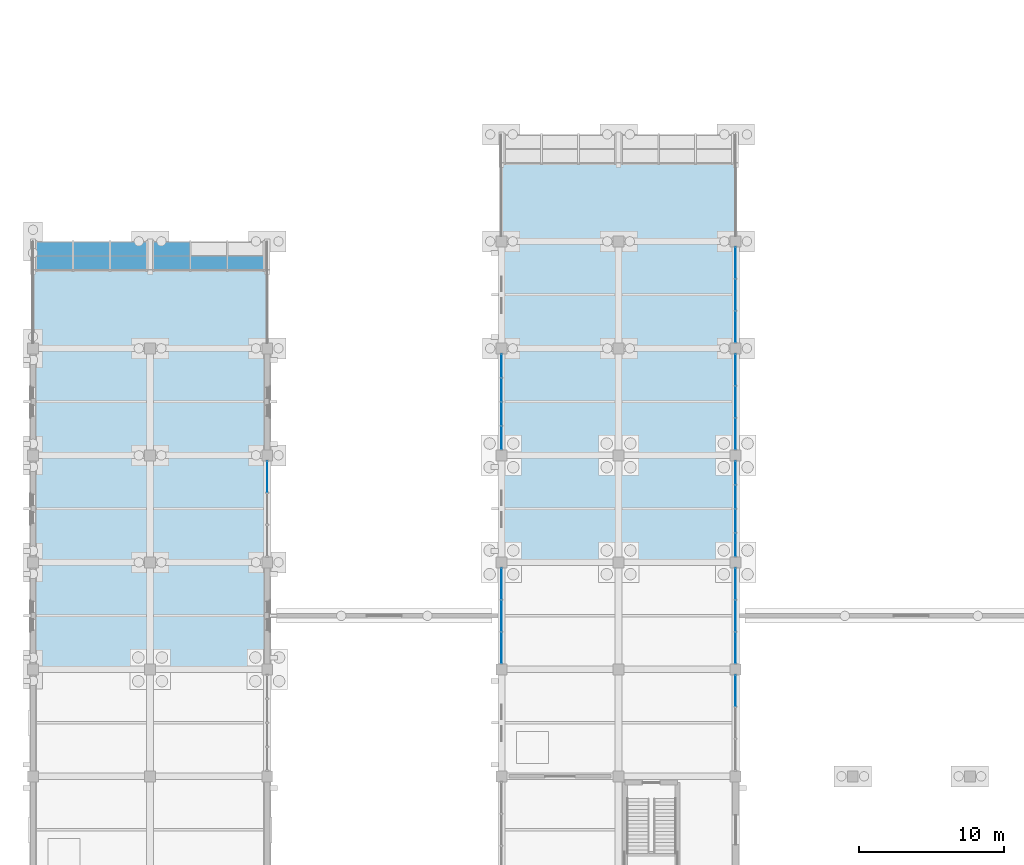
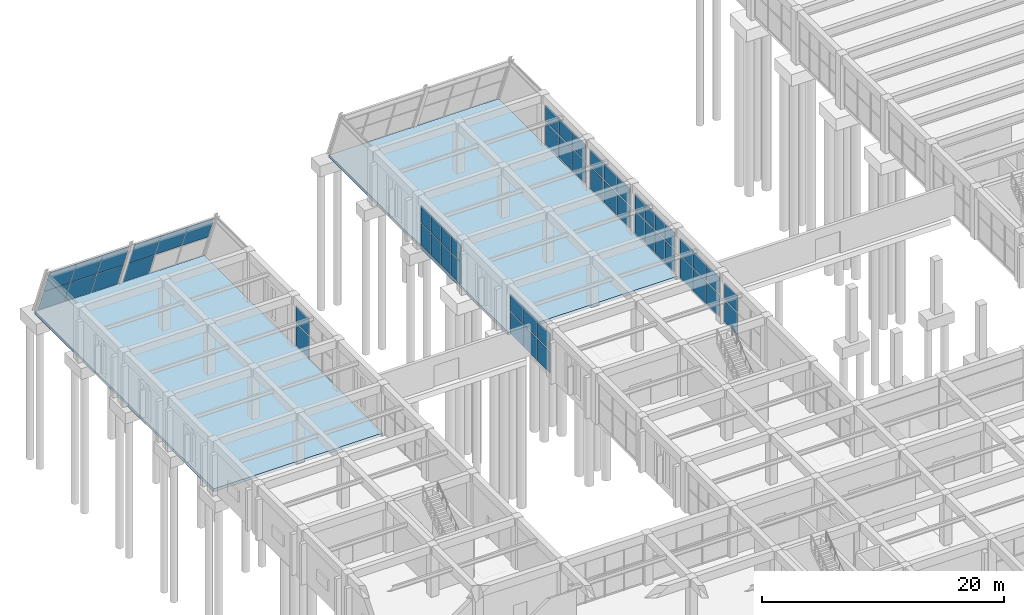
# One storey, part 115 of 140: 54 plates, 2 slabs, 10 elements without a shape of their own.
"""IFC4 building model written with IfcOpenShell, lengths in metres."""

from ifc_helpers import new_model, si_unit, direction, frame, origin, origin_2d, place, context, subcontext, project, spatial, polyline, rectangle, outline, extrude, material, layer, layer_set, type_object, element, aggregate, save


model = new_model("IFC4")

# Units and contexts
model_context = context("Model", 3, precision=1e-05, world=origin(), true_north=direction((0.0, 1.0)))
body_context = subcontext(model_context, "Body", "Model", "MODEL_VIEW")
ifc_project = project(units=[si_unit("LENGTHUNIT", "METRE"), si_unit("AREAUNIT", "SQUARE_METRE"), si_unit("VOLUMEUNIT", "CUBIC_METRE"), si_unit("PLANEANGLEUNIT", "RADIAN"), si_unit("MASSUNIT", "GRAM", prefix="KILO")], contexts=[model_context])

# Site, building, storey
site_placement = place(None, origin())
site = spatial("IfcSite", under=ifc_project, at=site_placement, CompositionType="ELEMENT")
building_placement = place(site_placement, origin())
building = spatial("IfcBuilding", under=site, at=building_placement, Name="Cimatlan Art Gallery", CompositionType="ELEMENT")
storey_placement = place(building_placement, origin())
storey = spatial("IfcBuildingStorey", under=building, at=storey_placement, Name="L00", CompositionType="ELEMENT", Elevation=0.0)

# Curtain wall, plates
ifc_material_1 = material(Name="Anodised bronze unitised curtain wall")
curtain_wall_type_1 = type_object("IfcCurtainWallType", Name="CW-V-06642X04195-B4", PredefinedType="NOTDEFINED", material=ifc_material_1)
curtain_wall_1_placement = place(storey_placement, origin())
curtain_wall_1 = element("IfcCurtainWall", 1, at=curtain_wall_1_placement, inside=storey, type_object=curtain_wall_type_1, Name="CW-L00-04-11-W", PredefinedType="NOTDEFINED")
ifc_material_2 = material(Name="Low-E insulated double glazing", Category="glass")
ifc_layer_1 = layer(ifc_material_2, 0.028076171875)
ifc_layer_set_1 = layer_set([ifc_layer_1], Name="Low-E insulated double glazing")
plate_type_1 = type_object("IfcPlateType", Name="PNL-1603X1662", PredefinedType="CURTAIN_PANEL", material=ifc_layer_set_1)
plate_1_placement = place(storey_placement, frame((34.39990234375, 84.309326171875, 2.4111328125), z_axis=(0.0, 0.0, 1.0), x_axis=(0.0, 1.0, 0.0)))
plate_1 = element("IfcPlate", 2, at=plate_1_placement, type_object=plate_type_1, Name="CW-L00-04-11-W-P12", PredefinedType="CURTAIN_PANEL", context=body_context, shape_type="SweptSolid", body=[
    extrude(rectangle(XDim=1.60302734375, YDim=0.028076171875, at=origin_2d()), origin(), (0.0, 0.0, 1.0), 1.662109375),
])
plate_2_placement = place(storey_placement, frame((34.39990234375, 85.9697265625, 2.4111328125), z_axis=(0.0, 0.0, 1.0), x_axis=(0.0, 1.0, 0.0)))
plate_2 = element("IfcPlate", 3, at=plate_2_placement, type_object=plate_type_1, Name="CW-L00-04-11-W-P22", PredefinedType="CURTAIN_PANEL", context=body_context, shape_type="SweptSolid", body=[
    extrude(rectangle(XDim=1.60302734375, YDim=0.028076171875, at=origin_2d()), origin(), (0.0, 0.0, 1.0), 1.662109375),
])
plate_3_placement = place(storey_placement, frame((34.39990234375, 87.63037109375, 2.4111328125), z_axis=(0.0, 0.0, 1.0), x_axis=(0.0, 1.0, 0.0)))
plate_3 = element("IfcPlate", 4, at=plate_3_placement, type_object=plate_type_1, Name="CW-L00-04-11-W-P32", PredefinedType="CURTAIN_PANEL", context=body_context, shape_type="SweptSolid", body=[
    extrude(rectangle(XDim=1.60302734375, YDim=0.028076171875, at=origin_2d()), origin(), (0.0, 0.0, 1.0), 1.662109375),
])
plate_4_placement = place(storey_placement, frame((34.39990234375, 89.290771484375, 2.4111328125), z_axis=(0.0, 0.0, 1.0), x_axis=(0.0, 1.0, 0.0)))
plate_4 = element("IfcPlate", 5, at=plate_4_placement, type_object=plate_type_1, Name="CW-L00-04-11-W-P42", PredefinedType="CURTAIN_PANEL", context=body_context, shape_type="SweptSolid", body=[
    extrude(rectangle(XDim=1.60302734375, YDim=0.028076171875, at=origin_2d()), origin(), (0.0, 0.0, 1.0), 1.662109375),
])

curtain_wall_type_2 = type_object("IfcCurtainWallType", Name="CW-V-06642X04255-B4", PredefinedType="NOTDEFINED", material=ifc_material_1)
curtain_wall_2_placement = place(storey_placement, origin())
curtain_wall_2 = element("IfcCurtainWall", 6, at=curtain_wall_2_placement, inside=storey, type_object=curtain_wall_type_2, Name="CW-L00-05-10-E", PredefinedType="NOTDEFINED")
ifc_layer_2 = layer(ifc_material_2, 0.028076171875)
ifc_layer_set_2 = layer_set([ifc_layer_2], Name="Low-E insulated double glazing")
plate_type_2 = type_object("IfcPlateType", Name="PNL-1603X1688", PredefinedType="CURTAIN_PANEL", material=ifc_layer_set_2)
plate_5_placement = place(storey_placement, frame((50.60009765625, 81.890869140625, 2.44482421875), z_axis=(0.0, 0.0, 1.0), x_axis=(0.0, -1.0, 0.0)))
plate_5 = element("IfcPlate", 7, at=plate_5_placement, type_object=plate_type_2, Name="CW-L00-05-10-E-P12", PredefinedType="CURTAIN_PANEL", context=body_context, shape_type="SweptSolid", body=[
    extrude(rectangle(XDim=1.60302734375, YDim=0.028076171875, at=origin_2d()), origin(), (0.0, 0.0, 1.0), 1.68798828125),
])
plate_6_placement = place(storey_placement, frame((50.60009765625, 80.230224609375, 2.44482421875), z_axis=(0.0, 0.0, 1.0), x_axis=(0.0, -1.0, 0.0)))
plate_6 = element("IfcPlate", 8, at=plate_6_placement, type_object=plate_type_2, Name="CW-L00-05-10-E-P22", PredefinedType="CURTAIN_PANEL", context=body_context, shape_type="SweptSolid", body=[
    extrude(rectangle(XDim=1.60302734375, YDim=0.028076171875, at=origin_2d()), origin(), (0.0, 0.0, 1.0), 1.68798828125),
])
plate_7_placement = place(storey_placement, frame((50.60009765625, 78.56982421875, 2.44482421875), z_axis=(0.0, 0.0, 1.0), x_axis=(0.0, -1.0, 0.0)))
plate_7 = element("IfcPlate", 9, at=plate_7_placement, type_object=plate_type_2, Name="CW-L00-05-10-E-P32", PredefinedType="CURTAIN_PANEL", context=body_context, shape_type="SweptSolid", body=[
    extrude(rectangle(XDim=1.60302734375, YDim=0.028076171875, at=origin_2d()), origin(), (0.0, 0.0, 1.0), 1.68798828125),
])
plate_8_placement = place(storey_placement, frame((50.60009765625, 76.9091796875, 2.44482421875), z_axis=(0.0, 0.0, 1.0), x_axis=(0.0, -1.0, 0.0)))
plate_8 = element("IfcPlate", 10, at=plate_8_placement, type_object=plate_type_2, Name="CW-L00-05-10-E-P42", PredefinedType="CURTAIN_PANEL", context=body_context, shape_type="SweptSolid", body=[
    extrude(rectangle(XDim=1.60302734375, YDim=0.028076171875, at=origin_2d()), origin(), (0.0, 0.0, 1.0), 1.68798828125),
])

# Plate
ifc_layer_3 = layer(ifc_material_2, 0.028076171875)
ifc_layer_set_3 = layer_set([ifc_layer_3], Name="Low-E insulated double glazing")
plate_type_3 = type_object("IfcPlateType", Name="PNL-1603X2165", PredefinedType="CURTAIN_PANEL", material=ifc_layer_set_3)
plate_9_placement = place(storey_placement, frame((34.39990234375, 84.309326171875, 0.1220703125), z_axis=(0.0, 0.0, 1.0), x_axis=(0.0, 1.0, 0.0)))
plate_9 = element("IfcPlate", 11, at=plate_9_placement, type_object=plate_type_3, Name="CW-L00-04-11-W-P11", PredefinedType="CURTAIN_PANEL", context=body_context, shape_type="SweptSolid", body=[
    extrude(rectangle(XDim=1.60302734375, YDim=0.028076171875, at=origin_2d()), origin(), (0.0, 0.0, 1.0), 2.1650390625),
])

plate_10_placement = place(storey_placement, frame((34.39990234375, 85.9697265625, 0.1220703125), z_axis=(0.0, 0.0, 1.0), x_axis=(0.0, 1.0, 0.0)))
plate_10 = element("IfcPlate", 12, at=plate_10_placement, type_object=plate_type_3, Name="CW-L00-04-11-W-P21", PredefinedType="CURTAIN_PANEL", context=body_context, shape_type="SweptSolid", body=[
    extrude(rectangle(XDim=1.60302734375, YDim=0.028076171875, at=origin_2d()), origin(), (0.0, 0.0, 1.0), 2.1650390625),
])

plate_11_placement = place(storey_placement, frame((34.39990234375, 87.63037109375, 0.1220703125), z_axis=(0.0, 0.0, 1.0), x_axis=(0.0, 1.0, 0.0)))
plate_11 = element("IfcPlate", 13, at=plate_11_placement, type_object=plate_type_3, Name="CW-L00-04-11-W-P31", PredefinedType="CURTAIN_PANEL", context=body_context, shape_type="SweptSolid", body=[
    extrude(rectangle(XDim=1.60302734375, YDim=0.028076171875, at=origin_2d()), origin(), (0.0, 0.0, 1.0), 2.1650390625),
])

plate_12_placement = place(storey_placement, frame((34.39990234375, 89.290771484375, 0.1220703125), z_axis=(0.0, 0.0, 1.0), x_axis=(0.0, 1.0, 0.0)))
plate_12 = element("IfcPlate", 14, at=plate_12_placement, type_object=plate_type_3, Name="CW-L00-04-11-W-P41", PredefinedType="CURTAIN_PANEL", context=body_context, shape_type="SweptSolid", body=[
    extrude(rectangle(XDim=1.60302734375, YDim=0.028076171875, at=origin_2d()), origin(), (0.0, 0.0, 1.0), 2.1650390625),
])

aggregate(curtain_wall_1, [plate_9, plate_1, plate_10, plate_2, plate_11, plate_3, plate_12, plate_4])

ifc_layer_4 = layer(ifc_material_2, 0.028076171875)
ifc_layer_set_4 = layer_set([ifc_layer_4], Name="Low-E insulated double glazing")
plate_type_4 = type_object("IfcPlateType", Name="PNL-1603X2199", PredefinedType="CURTAIN_PANEL", material=ifc_layer_set_4)
plate_13_placement = place(storey_placement, frame((50.60009765625, 81.890869140625, 0.1220703125), z_axis=(0.0, 0.0, 1.0), x_axis=(0.0, -1.0, 0.0)))
plate_13 = element("IfcPlate", 15, at=plate_13_placement, type_object=plate_type_4, Name="CW-L00-05-10-E-P11", PredefinedType="CURTAIN_PANEL", context=body_context, shape_type="SweptSolid", body=[
    extrude(rectangle(XDim=1.60302734375, YDim=0.028076171875, at=origin_2d()), origin(), (0.0, 0.0, 1.0), 2.198974609375),
])

plate_14_placement = place(storey_placement, frame((50.60009765625, 80.230224609375, 0.1220703125), z_axis=(0.0, 0.0, 1.0), x_axis=(0.0, -1.0, 0.0)))
plate_14 = element("IfcPlate", 16, at=plate_14_placement, type_object=plate_type_4, Name="CW-L00-05-10-E-P21", PredefinedType="CURTAIN_PANEL", context=body_context, shape_type="SweptSolid", body=[
    extrude(rectangle(XDim=1.60302734375, YDim=0.028076171875, at=origin_2d()), origin(), (0.0, 0.0, 1.0), 2.198974609375),
])

plate_15_placement = place(storey_placement, frame((50.60009765625, 78.56982421875, 0.1220703125), z_axis=(0.0, 0.0, 1.0), x_axis=(0.0, -1.0, 0.0)))
plate_15 = element("IfcPlate", 17, at=plate_15_placement, type_object=plate_type_4, Name="CW-L00-05-10-E-P31", PredefinedType="CURTAIN_PANEL", context=body_context, shape_type="SweptSolid", body=[
    extrude(rectangle(XDim=1.60302734375, YDim=0.028076171875, at=origin_2d()), origin(), (0.0, 0.0, 1.0), 2.198974609375),
])

plate_16_placement = place(storey_placement, frame((50.60009765625, 76.9091796875, 0.1220703125), z_axis=(0.0, 0.0, 1.0), x_axis=(0.0, -1.0, 0.0)))
plate_16 = element("IfcPlate", 18, at=plate_16_placement, type_object=plate_type_4, Name="CW-L00-05-10-E-P41", PredefinedType="CURTAIN_PANEL", context=body_context, shape_type="SweptSolid", body=[
    extrude(rectangle(XDim=1.60302734375, YDim=0.028076171875, at=origin_2d()), origin(), (0.0, 0.0, 1.0), 2.198974609375),
])

aggregate(curtain_wall_2, [plate_13, plate_5, plate_14, plate_6, plate_15, plate_7, plate_16, plate_8])

# Curtain wall, plate
curtain_wall_type_3 = type_object("IfcCurtainWallType", Name="CW-V-06642X04195-B3", PredefinedType="NOTDEFINED", material=ifc_material_1)
curtain_wall_3_placement = place(storey_placement, origin())
curtain_wall_3 = element("IfcCurtainWall", 19, at=curtain_wall_3_placement, inside=storey, type_object=curtain_wall_type_3, Name="CW-L00-05-08-E", PredefinedType="NOTDEFINED")
ifc_layer_5 = layer(ifc_material_2, 0.028076171875)
ifc_layer_set_5 = layer_set([ifc_layer_5], Name="Low-E insulated double glazing")
plate_type_5 = type_object("IfcPlateType", Name="PNL-2156X1662", PredefinedType="CURTAIN_PANEL", material=ifc_layer_set_5)
plate_17_placement = place(storey_placement, frame((50.60009765625, 66.81396484375, 2.4111328125), z_axis=(0.0, 0.0, 1.0), x_axis=(0.0, -1.0, 0.0)))
plate_17 = element("IfcPlate", 20, at=plate_17_placement, type_object=plate_type_5, Name="CW-L00-05-08-E-P12", PredefinedType="CURTAIN_PANEL", context=body_context, shape_type="SweptSolid", body=[
    extrude(rectangle(XDim=2.156005859375, YDim=0.028076171875, at=origin_2d()), origin(), (0.0, 0.0, 1.0), 1.662109375),
])

# Curtain wall, plates
curtain_wall_type_4 = type_object("IfcCurtainWallType", Name="CW-V-06642X04225-B3", PredefinedType="NOTDEFINED", material=ifc_material_1)
curtain_wall_4_placement = place(storey_placement, origin())
curtain_wall_4 = element("IfcCurtainWall", 21, at=curtain_wall_4_placement, inside=storey, type_object=curtain_wall_type_4, Name="CW-L00-04-09-W", PredefinedType="NOTDEFINED")
ifc_layer_6 = layer(ifc_material_2, 0.028076171875)
ifc_layer_set_6 = layer_set([ifc_layer_6], Name="Low-E insulated double glazing")
plate_type_6 = type_object("IfcPlateType", Name="PNL-2156X1675", PredefinedType="CURTAIN_PANEL", material=ifc_layer_set_6)
plate_18_placement = place(storey_placement, frame((34.39990234375, 69.785888671875, 2.427734375), z_axis=(0.0, 0.0, 1.0), x_axis=(0.0, 1.0, 0.0)))
plate_18 = element("IfcPlate", 22, at=plate_18_placement, type_object=plate_type_6, Name="CW-L00-04-09-W-P12", PredefinedType="CURTAIN_PANEL", context=body_context, shape_type="SweptSolid", body=[
    extrude(rectangle(XDim=2.156005859375, YDim=0.028076171875, at=origin_2d()), origin(), (0.0, 0.0, 1.0), 1.675048828125),
])
plate_19_placement = place(storey_placement, frame((34.39990234375, 72.0, 2.427734375), z_axis=(0.0, 0.0, 1.0), x_axis=(0.0, 1.0, 0.0)))
plate_19 = element("IfcPlate", 23, at=plate_19_placement, type_object=plate_type_6, Name="CW-L00-04-09-W-P22", PredefinedType="CURTAIN_PANEL", context=body_context, shape_type="SweptSolid", body=[
    extrude(rectangle(XDim=2.156005859375, YDim=0.028076171875, at=origin_2d()), origin(), (0.0, 0.0, 1.0), 1.675048828125),
])
plate_20_placement = place(storey_placement, frame((34.39990234375, 74.214111328125, 2.427734375), z_axis=(0.0, 0.0, 1.0), x_axis=(0.0, 1.0, 0.0)))
plate_20 = element("IfcPlate", 24, at=plate_20_placement, type_object=plate_type_6, Name="CW-L00-04-09-W-P32", PredefinedType="CURTAIN_PANEL", context=body_context, shape_type="SweptSolid", body=[
    extrude(rectangle(XDim=2.156005859375, YDim=0.028076171875, at=origin_2d()), origin(), (0.0, 0.0, 1.0), 1.675048828125),
])

curtain_wall_5_placement = place(storey_placement, origin())
curtain_wall_5 = element("IfcCurtainWall", 25, at=curtain_wall_5_placement, inside=storey, type_object=curtain_wall_type_4, Name="CW-L00-05-12-E", PredefinedType="NOTDEFINED")
plate_21_placement = place(storey_placement, frame((50.60009765625, 96.4140625, 2.427734375), z_axis=(0.0, 0.0, 1.0), x_axis=(0.0, -1.0, 0.0)))
plate_21 = element("IfcPlate", 26, at=plate_21_placement, type_object=plate_type_6, Name="CW-L00-05-12-E-P12", PredefinedType="CURTAIN_PANEL", context=body_context, shape_type="SweptSolid", body=[
    extrude(rectangle(XDim=2.156005859375, YDim=0.028076171875, at=origin_2d()), origin(), (0.0, 0.0, 1.0), 1.675048828125),
])
plate_22_placement = place(storey_placement, frame((50.60009765625, 94.199951171875, 2.427734375), z_axis=(0.0, 0.0, 1.0), x_axis=(0.0, -1.0, 0.0)))
plate_22 = element("IfcPlate", 27, at=plate_22_placement, type_object=plate_type_6, Name="CW-L00-05-12-E-P22", PredefinedType="CURTAIN_PANEL", context=body_context, shape_type="SweptSolid", body=[
    extrude(rectangle(XDim=2.156005859375, YDim=0.028076171875, at=origin_2d()), origin(), (0.0, 0.0, 1.0), 1.675048828125),
])
plate_23_placement = place(storey_placement, frame((50.60009765625, 91.986083984375, 2.427734375), z_axis=(0.0, 0.0, 1.0), x_axis=(0.0, -1.0, 0.0)))
plate_23 = element("IfcPlate", 28, at=plate_23_placement, type_object=plate_type_6, Name="CW-L00-05-12-E-P32", PredefinedType="CURTAIN_PANEL", context=body_context, shape_type="SweptSolid", body=[
    extrude(rectangle(XDim=2.156005859375, YDim=0.028076171875, at=origin_2d()), origin(), (0.0, 0.0, 1.0), 1.675048828125),
])

curtain_wall_type_5 = type_object("IfcCurtainWallType", Name="CW-V-06642X04240-B3", PredefinedType="NOTDEFINED", material=ifc_material_1)
curtain_wall_6_placement = place(storey_placement, origin())
curtain_wall_6 = element("IfcCurtainWall", 29, at=curtain_wall_6_placement, inside=storey, type_object=curtain_wall_type_5, Name="CW-L00-05-11-E", PredefinedType="NOTDEFINED")
ifc_layer_7 = layer(ifc_material_2, 0.028076171875)
ifc_layer_set_7 = layer_set([ifc_layer_7], Name="Low-E insulated double glazing")
plate_type_7 = type_object("IfcPlateType", Name="PNL-2156X1682", PredefinedType="CURTAIN_PANEL", material=ifc_layer_set_7)
plate_24_placement = place(storey_placement, frame((50.60009765625, 89.013916015625, 2.43603515625), z_axis=(0.0, 0.0, 1.0), x_axis=(0.0, -1.0, 0.0)))
plate_24 = element("IfcPlate", 30, at=plate_24_placement, type_object=plate_type_7, Name="CW-L00-05-11-E-P12", PredefinedType="CURTAIN_PANEL", context=body_context, shape_type="SweptSolid", body=[
    extrude(rectangle(XDim=2.156005859375, YDim=0.028076171875, at=origin_2d()), origin(), (0.0, 0.0, 1.0), 1.681884765625),
])
plate_25_placement = place(storey_placement, frame((50.60009765625, 86.800048828125, 2.43603515625), z_axis=(0.0, 0.0, 1.0), x_axis=(0.0, -1.0, 0.0)))
plate_25 = element("IfcPlate", 31, at=plate_25_placement, type_object=plate_type_7, Name="CW-L00-05-11-E-P22", PredefinedType="CURTAIN_PANEL", context=body_context, shape_type="SweptSolid", body=[
    extrude(rectangle(XDim=2.156005859375, YDim=0.028076171875, at=origin_2d()), origin(), (0.0, 0.0, 1.0), 1.681884765625),
])
plate_26_placement = place(storey_placement, frame((50.60009765625, 84.5859375, 2.43603515625), z_axis=(0.0, 0.0, 1.0), x_axis=(0.0, -1.0, 0.0)))
plate_26 = element("IfcPlate", 32, at=plate_26_placement, type_object=plate_type_7, Name="CW-L00-05-11-E-P32", PredefinedType="CURTAIN_PANEL", context=body_context, shape_type="SweptSolid", body=[
    extrude(rectangle(XDim=2.156005859375, YDim=0.028076171875, at=origin_2d()), origin(), (0.0, 0.0, 1.0), 1.681884765625),
])

# Curtain wall, plate
curtain_wall_type_6 = type_object("IfcCurtainWallType", Name="CW-V-06642X04255-B3", PredefinedType="NOTDEFINED", material=ifc_material_1)
curtain_wall_7_placement = place(storey_placement, origin())
curtain_wall_7 = element("IfcCurtainWall", 33, at=curtain_wall_7_placement, inside=storey, type_object=curtain_wall_type_6, Name="CW-L00-01-10-E", PredefinedType="NOTDEFINED")
ifc_layer_8 = layer(ifc_material_2, 0.028076171875)
ifc_layer_set_8 = layer_set([ifc_layer_8], Name="Low-E insulated double glazing")
plate_type_8 = type_object("IfcPlateType", Name="PNL-2156X1688", PredefinedType="CURTAIN_PANEL", material=ifc_layer_set_8)
plate_27_placement = place(storey_placement, frame((18.199951171875, 81.614013671875, 2.44482421875), z_axis=(0.0, 0.0, 1.0), x_axis=(0.0, -1.0, 0.0)))
plate_27 = element("IfcPlate", 34, at=plate_27_placement, type_object=plate_type_8, Name="CW-L00-01-10-E-P12", PredefinedType="CURTAIN_PANEL", context=body_context, shape_type="SweptSolid", body=[
    extrude(rectangle(XDim=2.156005859375, YDim=0.028076171875, at=origin_2d()), origin(), (0.0, 0.0, 1.0), 1.68798828125),
])

# Curtain wall, plates
curtain_wall_type_7 = type_object("IfcCurtainWallType", Name="CW-V-06642X04270-B3", PredefinedType="NOTDEFINED", material=ifc_material_1)
curtain_wall_8_placement = place(storey_placement, origin())
curtain_wall_8 = element("IfcCurtainWall", 35, at=curtain_wall_8_placement, inside=storey, type_object=curtain_wall_type_7, Name="CW-L00-05-09-E", PredefinedType="NOTDEFINED")
ifc_layer_9 = layer(ifc_material_2, 0.028076171875)
ifc_layer_set_9 = layer_set([ifc_layer_9], Name="Low-E insulated double glazing")
plate_type_9 = type_object("IfcPlateType", Name="PNL-2156X1695", PredefinedType="CURTAIN_PANEL", material=ifc_layer_set_9)
plate_28_placement = place(storey_placement, frame((50.60009765625, 74.214111328125, 2.453125), z_axis=(0.0, 0.0, 1.0), x_axis=(0.0, -1.0, 0.0)))
plate_28 = element("IfcPlate", 36, at=plate_28_placement, type_object=plate_type_9, Name="CW-L00-05-09-E-P12", PredefinedType="CURTAIN_PANEL", context=body_context, shape_type="SweptSolid", body=[
    extrude(rectangle(XDim=2.156005859375, YDim=0.028076171875, at=origin_2d()), origin(), (0.0, 0.0, 1.0), 1.695068359375),
])
plate_29_placement = place(storey_placement, frame((50.60009765625, 72.0, 2.453125), z_axis=(0.0, 0.0, 1.0), x_axis=(0.0, -1.0, 0.0)))
plate_29 = element("IfcPlate", 37, at=plate_29_placement, type_object=plate_type_9, Name="CW-L00-05-09-E-P22", PredefinedType="CURTAIN_PANEL", context=body_context, shape_type="SweptSolid", body=[
    extrude(rectangle(XDim=2.156005859375, YDim=0.028076171875, at=origin_2d()), origin(), (0.0, 0.0, 1.0), 1.695068359375),
])
plate_30_placement = place(storey_placement, frame((50.60009765625, 69.785888671875, 2.453125), z_axis=(0.0, 0.0, 1.0), x_axis=(0.0, -1.0, 0.0)))
plate_30 = element("IfcPlate", 38, at=plate_30_placement, type_object=plate_type_9, Name="CW-L00-05-09-E-P32", PredefinedType="CURTAIN_PANEL", context=body_context, shape_type="SweptSolid", body=[
    extrude(rectangle(XDim=2.156005859375, YDim=0.028076171875, at=origin_2d()), origin(), (0.0, 0.0, 1.0), 1.695068359375),
])

# Plate
ifc_layer_10 = layer(ifc_material_2, 0.028076171875)
ifc_layer_set_10 = layer_set([ifc_layer_10], Name="Low-E insulated double glazing")
plate_type_10 = type_object("IfcPlateType", Name="PNL-2156X2165", PredefinedType="CURTAIN_PANEL", material=ifc_layer_set_10)
plate_31_placement = place(storey_placement, frame((50.60009765625, 66.81396484375, 0.1220703125), z_axis=(0.0, 0.0, 1.0), x_axis=(0.0, -1.0, 0.0)))
plate_31 = element("IfcPlate", 39, at=plate_31_placement, type_object=plate_type_10, Name="CW-L00-05-08-E-P11", PredefinedType="CURTAIN_PANEL", context=body_context, shape_type="SweptSolid", body=[
    extrude(rectangle(XDim=2.156005859375, YDim=0.028076171875, at=origin_2d()), origin(), (0.0, 0.0, 1.0), 2.1650390625),
])

aggregate(curtain_wall_3, [plate_31, plate_17])

ifc_layer_11 = layer(ifc_material_2, 0.028076171875)
ifc_layer_set_11 = layer_set([ifc_layer_11], Name="Low-E insulated double glazing")
plate_type_11 = type_object("IfcPlateType", Name="PNL-2156X2182", PredefinedType="CURTAIN_PANEL", material=ifc_layer_set_11)
plate_32_placement = place(storey_placement, frame((34.39990234375, 69.785888671875, 0.1220703125), z_axis=(0.0, 0.0, 1.0), x_axis=(0.0, 1.0, 0.0)))
plate_32 = element("IfcPlate", 40, at=plate_32_placement, type_object=plate_type_11, Name="CW-L00-04-09-W-P11", PredefinedType="CURTAIN_PANEL", context=body_context, shape_type="SweptSolid", body=[
    extrude(rectangle(XDim=2.156005859375, YDim=0.028076171875, at=origin_2d()), origin(), (0.0, 0.0, 1.0), 2.181884765625),
])

plate_33_placement = place(storey_placement, frame((34.39990234375, 72.0, 0.1220703125), z_axis=(0.0, 0.0, 1.0), x_axis=(0.0, 1.0, 0.0)))
plate_33 = element("IfcPlate", 41, at=plate_33_placement, type_object=plate_type_11, Name="CW-L00-04-09-W-P21", PredefinedType="CURTAIN_PANEL", context=body_context, shape_type="SweptSolid", body=[
    extrude(rectangle(XDim=2.156005859375, YDim=0.028076171875, at=origin_2d()), origin(), (0.0, 0.0, 1.0), 2.181884765625),
])

plate_34_placement = place(storey_placement, frame((34.39990234375, 74.214111328125, 0.1220703125), z_axis=(0.0, 0.0, 1.0), x_axis=(0.0, 1.0, 0.0)))
plate_34 = element("IfcPlate", 42, at=plate_34_placement, type_object=plate_type_11, Name="CW-L00-04-09-W-P31", PredefinedType="CURTAIN_PANEL", context=body_context, shape_type="SweptSolid", body=[
    extrude(rectangle(XDim=2.156005859375, YDim=0.028076171875, at=origin_2d()), origin(), (0.0, 0.0, 1.0), 2.181884765625),
])

aggregate(curtain_wall_4, [plate_32, plate_18, plate_33, plate_19, plate_34, plate_20])

plate_35_placement = place(storey_placement, frame((50.60009765625, 96.4140625, 0.1220703125), z_axis=(0.0, 0.0, 1.0), x_axis=(0.0, -1.0, 0.0)))
plate_35 = element("IfcPlate", 43, at=plate_35_placement, type_object=plate_type_11, Name="CW-L00-05-12-E-P11", PredefinedType="CURTAIN_PANEL", context=body_context, shape_type="SweptSolid", body=[
    extrude(rectangle(XDim=2.156005859375, YDim=0.028076171875, at=origin_2d()), origin(), (0.0, 0.0, 1.0), 2.181884765625),
])

plate_36_placement = place(storey_placement, frame((50.60009765625, 94.199951171875, 0.1220703125), z_axis=(0.0, 0.0, 1.0), x_axis=(0.0, -1.0, 0.0)))
plate_36 = element("IfcPlate", 44, at=plate_36_placement, type_object=plate_type_11, Name="CW-L00-05-12-E-P21", PredefinedType="CURTAIN_PANEL", context=body_context, shape_type="SweptSolid", body=[
    extrude(rectangle(XDim=2.156005859375, YDim=0.028076171875, at=origin_2d()), origin(), (0.0, 0.0, 1.0), 2.181884765625),
])

plate_37_placement = place(storey_placement, frame((50.60009765625, 91.986083984375, 0.1220703125), z_axis=(0.0, 0.0, 1.0), x_axis=(0.0, -1.0, 0.0)))
plate_37 = element("IfcPlate", 45, at=plate_37_placement, type_object=plate_type_11, Name="CW-L00-05-12-E-P31", PredefinedType="CURTAIN_PANEL", context=body_context, shape_type="SweptSolid", body=[
    extrude(rectangle(XDim=2.156005859375, YDim=0.028076171875, at=origin_2d()), origin(), (0.0, 0.0, 1.0), 2.181884765625),
])

aggregate(curtain_wall_5, [plate_35, plate_21, plate_36, plate_22, plate_37, plate_23])

ifc_layer_12 = layer(ifc_material_2, 0.028076171875)
ifc_layer_set_12 = layer_set([ifc_layer_12], Name="Low-E insulated double glazing")
plate_type_12 = type_object("IfcPlateType", Name="PNL-2156X2190", PredefinedType="CURTAIN_PANEL", material=ifc_layer_set_12)
plate_38_placement = place(storey_placement, frame((50.60009765625, 89.013916015625, 0.122314453125), z_axis=(0.0, 0.0, 1.0), x_axis=(0.0, -1.0, 0.0)))
plate_38 = element("IfcPlate", 46, at=plate_38_placement, type_object=plate_type_12, Name="CW-L00-05-11-E-P11", PredefinedType="CURTAIN_PANEL", context=body_context, shape_type="SweptSolid", body=[
    extrude(rectangle(XDim=2.156005859375, YDim=0.028076171875, at=origin_2d()), origin(), (0.0, 0.0, 1.0), 2.18994140625),
])

plate_39_placement = place(storey_placement, frame((50.60009765625, 86.800048828125, 0.122314453125), z_axis=(0.0, 0.0, 1.0), x_axis=(0.0, -1.0, 0.0)))
plate_39 = element("IfcPlate", 47, at=plate_39_placement, type_object=plate_type_12, Name="CW-L00-05-11-E-P21", PredefinedType="CURTAIN_PANEL", context=body_context, shape_type="SweptSolid", body=[
    extrude(rectangle(XDim=2.156005859375, YDim=0.028076171875, at=origin_2d()), origin(), (0.0, 0.0, 1.0), 2.18994140625),
])

plate_40_placement = place(storey_placement, frame((50.60009765625, 84.5859375, 0.122314453125), z_axis=(0.0, 0.0, 1.0), x_axis=(0.0, -1.0, 0.0)))
plate_40 = element("IfcPlate", 48, at=plate_40_placement, type_object=plate_type_12, Name="CW-L00-05-11-E-P31", PredefinedType="CURTAIN_PANEL", context=body_context, shape_type="SweptSolid", body=[
    extrude(rectangle(XDim=2.156005859375, YDim=0.028076171875, at=origin_2d()), origin(), (0.0, 0.0, 1.0), 2.18994140625),
])

aggregate(curtain_wall_6, [plate_38, plate_24, plate_39, plate_25, plate_40, plate_26])

ifc_layer_13 = layer(ifc_material_2, 0.028076171875)
ifc_layer_set_13 = layer_set([ifc_layer_13], Name="Low-E insulated double glazing")
plate_type_13 = type_object("IfcPlateType", Name="PNL-2156X2199", PredefinedType="CURTAIN_PANEL", material=ifc_layer_set_13)
plate_41_placement = place(storey_placement, frame((18.199951171875, 81.614013671875, 0.1220703125), z_axis=(0.0, 0.0, 1.0), x_axis=(0.0, -1.0, 0.0)))
plate_41 = element("IfcPlate", 49, at=plate_41_placement, type_object=plate_type_13, Name="CW-L00-01-10-E-P11", PredefinedType="CURTAIN_PANEL", context=body_context, shape_type="SweptSolid", body=[
    extrude(rectangle(XDim=2.156005859375, YDim=0.028076171875, at=origin_2d()), origin(), (0.0, 0.0, 1.0), 2.198974609375),
])

aggregate(curtain_wall_7, [plate_41, plate_27])

ifc_layer_14 = layer(ifc_material_2, 0.028076171875)
ifc_layer_set_14 = layer_set([ifc_layer_14], Name="Low-E insulated double glazing")
plate_type_14 = type_object("IfcPlateType", Name="PNL-2156X2207", PredefinedType="CURTAIN_PANEL", material=ifc_layer_set_14)
plate_42_placement = place(storey_placement, frame((50.60009765625, 74.214111328125, 0.1220703125), z_axis=(0.0, 0.0, 1.0), x_axis=(0.0, -1.0, 0.0)))
plate_42 = element("IfcPlate", 50, at=plate_42_placement, type_object=plate_type_14, Name="CW-L00-05-09-E-P11", PredefinedType="CURTAIN_PANEL", context=body_context, shape_type="SweptSolid", body=[
    extrude(rectangle(XDim=2.156005859375, YDim=0.028076171875, at=origin_2d()), origin(), (0.0, 0.0, 1.0), 2.20703125),
])

plate_43_placement = place(storey_placement, frame((50.60009765625, 72.0, 0.1220703125), z_axis=(0.0, 0.0, 1.0), x_axis=(0.0, -1.0, 0.0)))
plate_43 = element("IfcPlate", 51, at=plate_43_placement, type_object=plate_type_14, Name="CW-L00-05-09-E-P21", PredefinedType="CURTAIN_PANEL", context=body_context, shape_type="SweptSolid", body=[
    extrude(rectangle(XDim=2.156005859375, YDim=0.028076171875, at=origin_2d()), origin(), (0.0, 0.0, 1.0), 2.20703125),
])

plate_44_placement = place(storey_placement, frame((50.60009765625, 69.785888671875, 0.1220703125), z_axis=(0.0, 0.0, 1.0), x_axis=(0.0, -1.0, 0.0)))
plate_44 = element("IfcPlate", 52, at=plate_44_placement, type_object=plate_type_14, Name="CW-L00-05-09-E-P31", PredefinedType="CURTAIN_PANEL", context=body_context, shape_type="SweptSolid", body=[
    extrude(rectangle(XDim=2.156005859375, YDim=0.028076171875, at=origin_2d()), origin(), (0.0, 0.0, 1.0), 2.20703125),
])

aggregate(curtain_wall_8, [plate_42, plate_28, plate_43, plate_29, plate_44, plate_30])

# Curtain wall, plates
ifc_material_3 = material(Name="Raked steel-and-bronze lancet curtain wall", Category="steel")
curtain_wall_type_8 = type_object("IfcCurtainWallType", Name="CW-RAK-07660X05503-B3", PredefinedType="NOTDEFINED", material=ifc_material_3)
curtain_wall_9_placement = place(storey_placement, origin())
curtain_wall_9 = element("IfcCurtainWall", 53, at=curtain_wall_9_placement, inside=storey, type_object=curtain_wall_type_8, Name="CW-PROW-L00-B1-0", PredefinedType="NOTDEFINED")
ifc_material_4 = material(Name="Low-E laminated skylight safety glazing", Category="glass")
ifc_layer_15 = layer(ifc_material_4, 0.031982421875)
ifc_layer_set_15 = layer_set([ifc_layer_15], Name="Low-E laminated skylight safety glazing")
plate_type_15 = type_object("IfcPlateType", Name="PNL-RAK-2513X2641", PredefinedType="CURTAIN_PANEL", material=ifc_layer_set_15)
plate_45_placement = place(storey_placement, frame((2.240234375, 97.86962890625, 0.076904296875), z_axis=(0.0, 0.930420809623, 0.366492997234), x_axis=(1.0, 0.0, 0.0)))
plate_45 = element("IfcPlate", 54, at=plate_45_placement, type_object=plate_type_15, Name="CW-PROW-L00-B1-0-P11", PredefinedType="CURTAIN_PANEL", context=body_context, shape_type="SweptSolid", body=[
    extrude(outline(polyline([(0.0, 0.0), (2.512939453125, 0.0), (2.512939453125, -2.641298975510764), (0.0, -2.641298975510764), (0.0, 0.0)])), origin(), (0.0, 0.0, -1.0), 0.031982421875),
])
plate_46_placement = place(storey_placement, frame((2.240234375, 96.881591796875, 2.585693359375), z_axis=(0.0, 0.930389288601, 0.366573009993), x_axis=(1.0, 0.0, 0.0)))
plate_46 = element("IfcPlate", 55, at=plate_46_placement, type_object=plate_type_15, Name="CW-PROW-L00-B1-0-P12", PredefinedType="CURTAIN_PANEL", context=body_context, shape_type="SweptSolid", body=[
    extrude(outline(polyline([(0.0, 0.0), (2.512939453125, 0.0), (2.512939453125, -2.6413884611075145), (0.0, -2.6413884611075145), (0.0, 0.0)])), origin(), (0.0, 0.0, -1.0), 0.031982421875),
])
plate_47_placement = place(storey_placement, frame((4.79345703125, 97.86962890625, 0.076904296875), z_axis=(0.0, 0.930420809623, 0.366492997234), x_axis=(1.0, 0.0, 0.0)))
plate_47 = element("IfcPlate", 56, at=plate_47_placement, type_object=plate_type_15, Name="CW-PROW-L00-B1-0-P21", PredefinedType="CURTAIN_PANEL", context=body_context, shape_type="SweptSolid", body=[
    extrude(outline(polyline([(0.0, 0.0), (2.512939453125, 0.0), (2.512939453125, -2.641298975510764), (0.0, -2.641298975510764), (0.0, 0.0)])), origin(), (0.0, 0.0, -1.0), 0.031982421875),
])
plate_48_placement = place(storey_placement, frame((4.79345703125, 96.881591796875, 2.585693359375), z_axis=(0.0, 0.930389288601, 0.366573009993), x_axis=(1.0, 0.0, 0.0)))
plate_48 = element("IfcPlate", 57, at=plate_48_placement, type_object=plate_type_15, Name="CW-PROW-L00-B1-0-P22", PredefinedType="CURTAIN_PANEL", context=body_context, shape_type="SweptSolid", body=[
    extrude(outline(polyline([(0.0, 0.0), (2.512939453125, 0.0), (2.512939453125, -2.6413884611075145), (0.0, -2.6413884611075145), (0.0, 0.0)])), origin(), (0.0, 0.0, -1.0), 0.031982421875),
])
plate_49_placement = place(storey_placement, frame((7.3466796875, 97.86962890625, 0.076904296875), z_axis=(0.0, 0.930420809623, 0.366492997234), x_axis=(1.0, 0.0, 0.0)))
plate_49 = element("IfcPlate", 58, at=plate_49_placement, type_object=plate_type_15, Name="CW-PROW-L00-B1-0-P31", PredefinedType="CURTAIN_PANEL", context=body_context, shape_type="SweptSolid", body=[
    extrude(outline(polyline([(0.0, 0.0), (2.51318359375, 0.0), (2.51318359375, -2.641298975510764), (0.0, -2.641298975510764), (0.0, 0.0)])), origin(), (0.0, 0.0, -1.0), 0.031982421875),
])
plate_50_placement = place(storey_placement, frame((7.3466796875, 96.881591796875, 2.585693359375), z_axis=(0.0, 0.930389288601, 0.366573009993), x_axis=(1.0, 0.0, 0.0)))
plate_50 = element("IfcPlate", 59, at=plate_50_placement, type_object=plate_type_15, Name="CW-PROW-L00-B1-0-P32", PredefinedType="CURTAIN_PANEL", context=body_context, shape_type="SweptSolid", body=[
    extrude(outline(polyline([(0.0, 0.0), (2.51318359375, 0.0), (2.51318359375, -2.641388461107515), (0.0, -2.641388461107515), (0.0, 0.0)])), origin(), (0.0, 0.0, -1.0), 0.031982421875),
])
aggregate(curtain_wall_9, [plate_45, plate_46, plate_47, plate_48, plate_49, plate_50])

curtain_wall_10_placement = place(storey_placement, origin())
curtain_wall_10 = element("IfcCurtainWall", 60, at=curtain_wall_10_placement, inside=storey, type_object=curtain_wall_type_8, Name="CW-PROW-L00-B1-1", PredefinedType="NOTDEFINED")
plate_51_placement = place(storey_placement, frame((10.340087890625, 97.86962890625, 0.076904296875), z_axis=(0.0, 0.930420809623, 0.366492997234), x_axis=(1.0, 0.0, 0.0)))
plate_51 = element("IfcPlate", 61, at=plate_51_placement, type_object=plate_type_15, Name="CW-PROW-L00-B1-1-P11", PredefinedType="CURTAIN_PANEL", context=body_context, shape_type="SweptSolid", body=[
    extrude(outline(polyline([(0.0, 0.0), (2.51318359375, 0.0), (2.51318359375, -2.641298975510764), (0.0, -2.641298975510764), (0.0, 0.0)])), origin(), (0.0, 0.0, -1.0), 0.031982421875),
])
plate_52_placement = place(storey_placement, frame((10.340087890625, 96.881591796875, 2.585693359375), z_axis=(0.0, 0.930389288601, 0.366573009993), x_axis=(1.0, 0.0, 0.0)))
plate_52 = element("IfcPlate", 62, at=plate_52_placement, type_object=plate_type_15, Name="CW-PROW-L00-B1-1-P12", PredefinedType="CURTAIN_PANEL", context=body_context, shape_type="SweptSolid", body=[
    extrude(outline(polyline([(0.0, 0.0), (2.51318359375, 0.0), (2.51318359375, -2.641388461107515), (0.0, -2.641388461107515), (0.0, 0.0)])), origin(), (0.0, 0.0, -1.0), 0.031982421875),
])
plate_53_placement = place(storey_placement, frame((12.8935546875, 96.881591796875, 2.585693359375), z_axis=(0.0, 0.930389288601, 0.366573009993), x_axis=(1.0, 0.0, 0.0)))
plate_53 = element("IfcPlate", 63, at=plate_53_placement, type_object=plate_type_15, Name="CW-PROW-L00-B1-1-P22", PredefinedType="CURTAIN_PANEL", context=body_context, shape_type="SweptSolid", body=[
    extrude(outline(polyline([(0.0, 0.0), (2.512939453125, 0.0), (2.512939453125, -2.6413884611075145), (0.0, -2.6413884611075145), (0.0, 0.0)])), origin(), (0.0, 0.0, -1.0), 0.031982421875),
])
plate_54_placement = place(storey_placement, frame((15.44677734375, 96.881591796875, 2.585693359375), z_axis=(0.0, 0.930389288601, 0.366573009993), x_axis=(1.0, 0.0, 0.0)))
plate_54 = element("IfcPlate", 64, at=plate_54_placement, type_object=plate_type_15, Name="CW-PROW-L00-B1-1-P32", PredefinedType="CURTAIN_PANEL", context=body_context, shape_type="SweptSolid", body=[
    extrude(outline(polyline([(0.0, 0.0), (2.512939453125, 0.0), (2.512939453125, -2.6413884611075145), (0.0, -2.6413884611075145), (0.0, 0.0)])), origin(), (0.0, 0.0, -1.0), 0.031982421875),
])
aggregate(curtain_wall_10, [plate_51, plate_52, plate_53, plate_54])

# Slabs
ifc_material_5 = material(Name="Concrete C35/45", Category="concrete")
ifc_layer_16 = layer(ifc_material_5, 0.280029296875)
ifc_layer_set_16 = layer_set([ifc_layer_16], Name="Concrete C35/45")
slab_type = type_object("IfcSlabType", Name="SLB-FLR-L00", PredefinedType="FLOOR", material=ifc_layer_set_16)
slab_1_placement = place(storey_placement, frame((0.0, 0.0, -0.280029296875)))
element("IfcSlab", 65, at=slab_1_placement, inside=storey, type_object=slab_type, Name="SLB-L00-B1N", PredefinedType="FLOOR", context=body_context, shape_type="SweptSolid", body=[
    extrude(outline(polyline([(2.0, 68.300048828125), (18.199951171875, 68.300048828125), (18.199951171875, 97.89990234375), (2.0, 97.89990234375), (2.0, 68.300048828125)])), origin(), (0.0, 0.0, 1.0), 0.280029296875),
])
slab_2_placement = place(storey_placement, frame((0.0, 0.0, -0.280029296875)))
element("IfcSlab", 66, at=slab_2_placement, inside=storey, type_object=slab_type, Name="SLB-L00-B2N", PredefinedType="FLOOR", context=body_context, shape_type="SweptSolid", body=[
    extrude(outline(polyline([(34.39990234375, 75.699951171875), (50.60009765625, 75.699951171875), (50.60009765625, 105.300048828125), (34.39990234375, 105.300048828125), (34.39990234375, 75.699951171875)])), origin(), (0.0, 0.0, 1.0), 0.280029296875),
])

save(model, "model.ifc")
